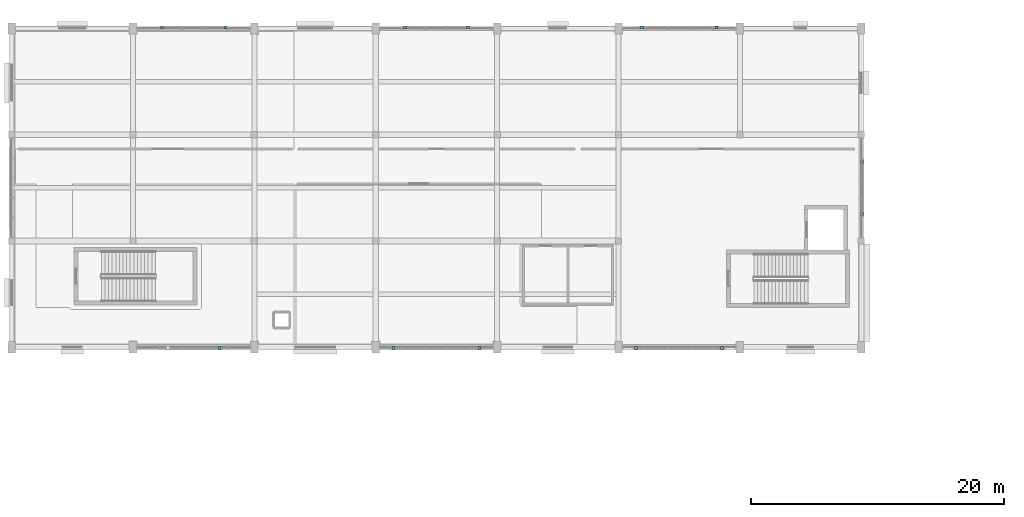
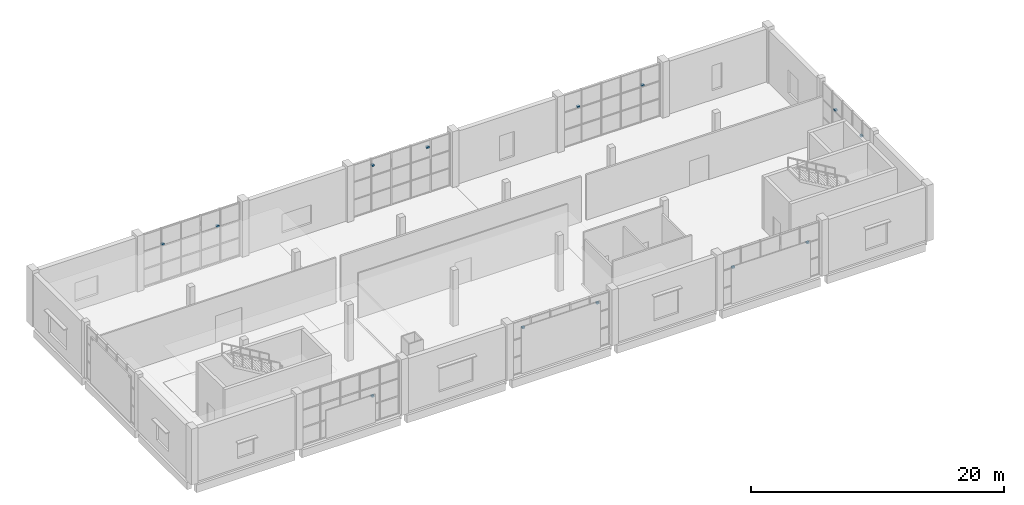
# One storey, part 56 of 72: 13 discrete accessories.
"""IFC4 building model written with IfcOpenShell, lengths in metres."""

from ifc_helpers import new_model, si_unit, direction, frame, origin, origin_2d, place, context, subcontext, project, spatial, rectangle, extrude, material, type_object, element, save


model = new_model("IFC4")

# Units and contexts
model_context = context("Model", 3, precision=1e-05, world=origin(), true_north=direction((0.0, 1.0)))
body_context = subcontext(model_context, "Body", "Model", "MODEL_VIEW")
ifc_project = project(units=[si_unit("LENGTHUNIT", "METRE"), si_unit("AREAUNIT", "SQUARE_METRE"), si_unit("VOLUMEUNIT", "CUBIC_METRE"), si_unit("PLANEANGLEUNIT", "RADIAN"), si_unit("MASSUNIT", "GRAM", prefix="KILO")], contexts=[model_context])

# Site, building, storey
site_placement = place(None, origin())
site = spatial("IfcSite", under=ifc_project, at=site_placement, CompositionType="ELEMENT")
building_placement = place(site_placement, origin())
building = spatial("IfcBuilding", under=site, at=building_placement, Name="Shalvenor Court Art Gallery", CompositionType="ELEMENT")
storey_placement = place(building_placement, frame((0.0, 0.0, 11.39990234375)))
storey = spatial("IfcBuildingStorey", under=building, at=storey_placement, Name="L02", CompositionType="ELEMENT", Elevation=11.39990234375)

# Discrete accessories
ifc_material = material(Name="Stainless steel anchor bracket", Category="steel")
discrete_accessory_type = type_object("IfcDiscreteAccessoryType", Name="BRK-01", PredefinedType="BRACKET", material=ifc_material)
for number, where, z_axis, x_axis, name in (
    (1, (69.5, 122.466552734375, 3.3701171875), (0.0, 0.0, 1.0), (1.0, 0.0, 0.0), "L02 Lattice Anchor Bracket 117"),
    (2, (74.5, 122.466552734375, 3.3701171875), (0.0, 0.0, 1.0), (1.0, 0.0, 0.0), "L02 Lattice Anchor Bracket 118"),
    (3, (88.699951171875, 122.471435546875, 4.27001953125), (0.0, 0.0, 1.0), (1.0, 0.0, 0.0), "L02 Lattice Anchor Bracket 119"),
    (4, (93.699951171875, 122.471435546875, 4.27001953125), (0.0, 0.0, 1.0), (1.0, 0.0, 0.0), "L02 Lattice Anchor Bracket 120"),
    (5, (107.449951171875, 122.4765625, 3.3701171875), (0.0, 0.0, 1.0), (1.0, 0.0, 0.0), "L02 Lattice Anchor Bracket 121"),
    (6, (113.35009765625, 122.4765625, 3.3701171875), (0.0, 0.0, 1.0), (1.0, 0.0, 0.0), "L02 Lattice Anchor Bracket 122"),
    (7, (124.8564453125, 111.85009765625, 3.3701171875), (0.0, 0.0, 1.0), (0.0, -1.0, 0.0), "L02 Lattice Anchor Bracket 123"),
    (8, (124.8564453125, 107.75, 3.3701171875), (0.0, 0.0, 1.0), (0.0, -1.0, 0.0), "L02 Lattice Anchor Bracket 124"),
    (9, (113.800048828125, 97.133544921875, 3.3701171875), (0.0, 0.0, 1.0), (-1.0, 0.0, 0.0), "L02 Lattice Anchor Bracket 125"),
    (10, (107.0, 97.133544921875, 3.3701171875), (0.0, 0.0, 1.0), (-1.0, 0.0, 0.0), "L02 Lattice Anchor Bracket 126"),
    (11, (94.60009765625, 97.12841796875, 4.27001953125), (0.0, 0.0, 1.0), (-1.0, 0.0, 0.0), "L02 Lattice Anchor Bracket 127"),
    (12, (87.800048828125, 97.12841796875, 4.27001953125), (0.0, 0.0, 1.0), (-1.0, 0.0, 0.0), "L02 Lattice Anchor Bracket 128"),
    (13, (74.050048828125, 97.12353515625, 2.47021484375), (0.0, 0.0, 1.0), (-1.0, 0.0, 0.0), "L02 Lattice Anchor Bracket 129"),
):
    element("IfcDiscreteAccessory", number, at=place(storey_placement, frame(where, z_axis=z_axis, x_axis=x_axis)), inside=storey, type_object=discrete_accessory_type, Name=name, PredefinedType="BRACKET", context=body_context, shape_type="SweptSolid", body=[
        extrude(rectangle(XDim=0.239990234375, YDim=0.219970703125, at=origin_2d()), origin(), (0.0, 0.0, 1.0), 0.159912109375),
    ])

save(model, "model.ifc")
